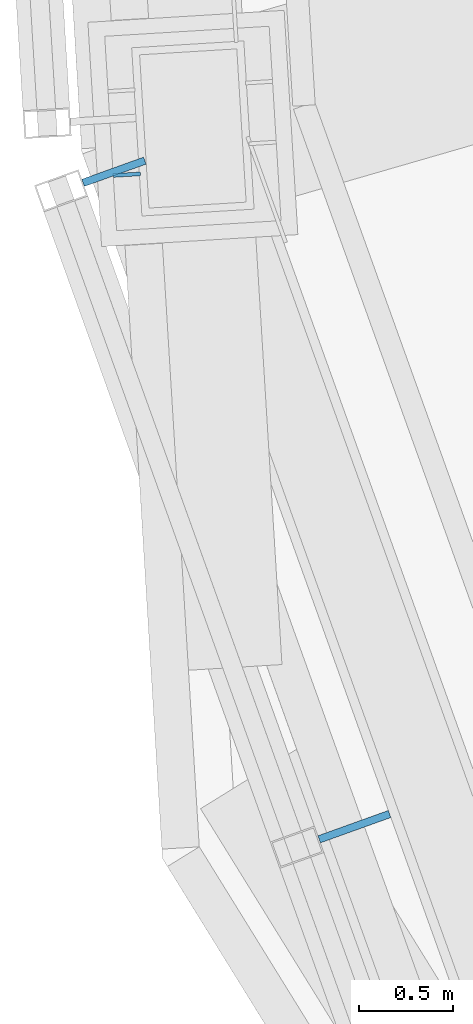
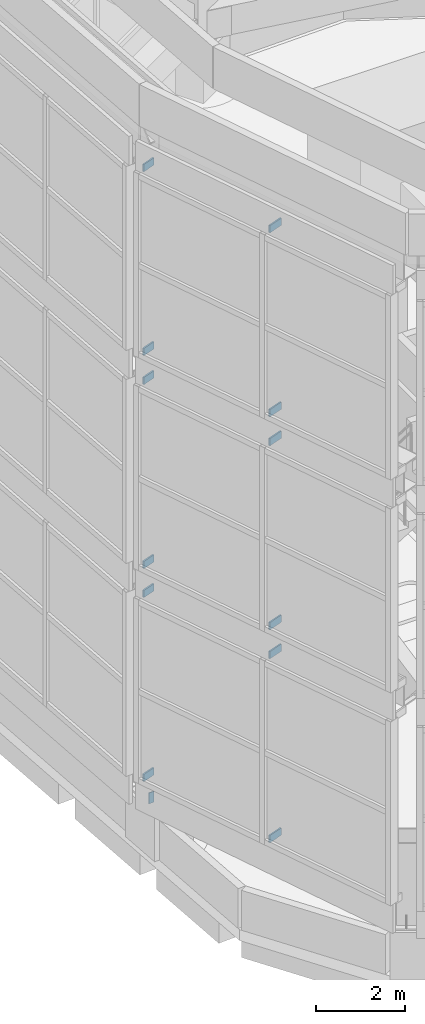
# One storey, part 30 of 46: 13 discrete accessories.
"""IFC4 building model written with IfcOpenShell, lengths in metres."""

import ifcopenshell
import ifcopenshell.guid

model = None  # the IFC model being written
_history = None  # IfcOwnerHistory: only IFC2X3 demands one
_inside = {}  # id of a spatial element -> (the spatial element, [elements in it])
_under = {}  # id of a project, library or spatial element -> (it, [spatial elements below it])
_declared = {}  # id of a project -> (the project, [libraries it declares])
_typed = {}  # id of a type object -> (the type object, [elements of that type])
_made_of = {}  # id of a material, layer set ... -> (it, [elements and type objects made of it])


def new_model(schema):
    """Start an empty IFC model of exactly this schema.

    Asked for "IFC4X3", IfcOpenShell would pick the latest addendum, in which some entities
    have other attributes; the version numbers below select the first issue.
    IFC2X3 requires an IfcOwnerHistory on every rooted entity: one is made here for all.
    """
    global model, _history
    if schema == "IFC4X3":
        model = ifcopenshell.file(schema_version=(4, 3, 0, 0))
    else:
        model = ifcopenshell.file(schema=schema)
    _inside.clear()
    _under.clear()
    _declared.clear()
    _typed.clear()
    _made_of.clear()
    _history = None
    if model.schema == "IFC2X3":
        org = make("IfcOrganization", Name="unknown")
        user = make(
            "IfcPersonAndOrganization",
            ThePerson=make("IfcPerson", FamilyName="unknown"),
            TheOrganization=org,
        )
        app = make(
            "IfcApplication",
            ApplicationDeveloper=org,
            Version="unknown",
            ApplicationFullName="unknown",
            ApplicationIdentifier="unknown",
        )
        _history = make(
            "IfcOwnerHistory",
            OwningUser=user,
            OwningApplication=app,
            ChangeAction="ADDED",
            CreationDate=0,
        )
    return model


def make(cls, **values):
    """One entity of the class cls with the attributes given. An attribute that is None is left unset."""
    return model.create_entity(
        cls, **{name: value for name, value in values.items() if value is not None}
    )


def rooted(cls, **values):
    """An entity with a GlobalId (a new one), such as an element, a storey or a relation."""
    return make(cls, GlobalId=ifcopenshell.guid.new(), OwnerHistory=_history, **values)


def si_unit(unit_type, name, prefix=None):
    """IfcSIUnit, for example si_unit("LENGTHUNIT", "METRE", prefix="MILLI")."""
    return make("IfcSIUnit", UnitType=unit_type, Prefix=prefix, Name=name)


def assignment(units):
    """IfcUnitAssignment: the units of a project."""
    return None if units is None else make("IfcUnitAssignment", Units=units)


def point(xyz):
    """IfcCartesianPoint."""
    return None if xyz is None else make("IfcCartesianPoint", Coordinates=xyz)


def direction(xyz):
    """IfcDirection."""
    return None if xyz is None else make("IfcDirection", DirectionRatios=xyz)


def frame(location, z_axis=None, x_axis=None):
    """IfcAxis2Placement3D, a coordinate frame: its origin and axes. An axis left out is left unset."""
    return make(
        "IfcAxis2Placement3D",
        Location=point(location),
        Axis=direction(z_axis),
        RefDirection=direction(x_axis),
    )


def frame_2d(location, x_axis=None):
    """IfcAxis2Placement2D, a coordinate frame in the plane: its origin and x axis."""
    return make(
        "IfcAxis2Placement2D", Location=point(location), RefDirection=direction(x_axis)
    )


def origin():
    """The frame at (0, 0, 0) with its axes left unset."""
    return frame((0.0, 0.0, 0.0))


def origin_2d():
    """The frame at (0, 0) in the plane with its x axis left unset."""
    return frame_2d((0.0, 0.0))


def place(relative_to, where):
    """IfcLocalPlacement: puts the frame where relative to a parent placement (None: the world)."""
    return make(
        "IfcLocalPlacement", PlacementRelTo=relative_to, RelativePlacement=where
    )


def context(
    kind, dimensions, precision=None, world=None, true_north=None, identifier=None
):
    """IfcGeometricRepresentationContext, for example the 3D "Model" context."""
    return make(
        "IfcGeometricRepresentationContext",
        ContextIdentifier=identifier,
        ContextType=kind,
        CoordinateSpaceDimension=dimensions,
        Precision=precision,
        WorldCoordinateSystem=world,
        TrueNorth=true_north,
    )


def subcontext(parent, identifier, kind, view, scale=None):
    """IfcGeometricRepresentationSubContext, for example "Body" below "Model"."""
    return make(
        "IfcGeometricRepresentationSubContext",
        ContextIdentifier=identifier,
        ContextType=kind,
        ParentContext=parent,
        TargetScale=scale,
        TargetView=view,
    )


def project(units=None, contexts=None):
    """IfcProject with its units and contexts."""
    return rooted(
        "IfcProject",
        Name="project",
        RepresentationContexts=contexts,
        UnitsInContext=assignment(units),
    )


def spatial(cls, under=None, at=None, **own):
    """A site, building, storey or space (cls), placed at a placement, below another one or the project."""
    s = rooted(cls, ObjectPlacement=at, **own)
    if under is not None:
        _under.setdefault(under.id(), (under, []))[1].append(s)
    return s


def profile(cls, at=None, kind="AREA", **sizes):
    """A parametric profile (cls). Its sizes go by their IFC names, for example OverallWidth=200.0."""
    return make(cls, ProfileType=kind, Position=at, **sizes)


def rectangle(**sizes):
    """IfcRectangleProfileDef."""
    return profile("IfcRectangleProfileDef", **sizes)


def extrude(swept, where, along, depth):
    """IfcExtrudedAreaSolid: the profile swept, set in the frame where, extruded along a direction by depth."""
    return make(
        "IfcExtrudedAreaSolid",
        SweptArea=swept,
        Position=where,
        ExtrudedDirection=direction(along),
        Depth=depth,
    )


def shape(context_of_items, identifier, shape_type, items):
    """IfcShapeRepresentation: the items that make up one representation, for example the "Body"."""
    return make(
        "IfcShapeRepresentation",
        ContextOfItems=context_of_items,
        RepresentationIdentifier=identifier,
        RepresentationType=shape_type,
        Items=items,
    )


def material(Name=None, Category=None):
    """IfcMaterial."""
    return make("IfcMaterial", Name=Name, Category=Category)


def layer(
    of_material, thickness, ventilated=None, Name=None, Category=None, Priority=None
):
    """IfcMaterialLayer: one layer of a wall or slab, of a material (None: an air gap)."""
    return make(
        "IfcMaterialLayer",
        Material=of_material,
        LayerThickness=thickness,
        IsVentilated=ventilated,
        Name=Name,
        Category=Category,
        Priority=Priority,
    )


def layer_set(layers, Name=None):
    """IfcMaterialLayerSet."""
    return make("IfcMaterialLayerSet", MaterialLayers=layers, LayerSetName=Name)


def made_of(thing, what):
    """Note that an element or type object is made of a material, layer set ...; save() writes the relation."""
    if what is not None:
        _made_of.setdefault(what.id(), (what, []))[1].append(thing)
    return thing


def type_object(cls, material=None, **own):
    """A type object (cls), such as IfcWallType, which elements share."""
    return made_of(rooted(cls, **own), material)


def element(
    cls,
    number,
    at=None,
    inside=None,
    cuts=None,
    type_object=None,
    material=None,
    context=None,
    identifier="Body",
    shape_type=None,
    held_by="IfcProductDefinitionShape",
    body=None,
    shapes=None,
    **own,
):
    """One element of the class cls, such as IfcWall. Its Tag is "e" and its number.

    at: its placement. inside: the storey or other place that contains it. cuts: it is an
    opening in that element (IfcRelVoidsElement). A single representation is given by context,
    identifier, shape_type and body (its items); several are given by shapes. held_by: the class
    of the entity that holds the representations. save() writes the other relations.
    """
    e = rooted(cls, Tag="e%d" % number, ObjectPlacement=at, **own)
    if body is not None:
        shapes = [shape(context, identifier, shape_type, body)]
    if shapes is not None:
        e.Representation = make(held_by, Representations=shapes)
    if inside is not None:
        _inside.setdefault(inside.id(), (inside, []))[1].append(e)
    if cuts is not None:
        rooted(
            "IfcRelVoidsElement", RelatingBuildingElement=cuts, RelatedOpeningElement=e
        )
    if type_object is not None:
        _typed.setdefault(type_object.id(), (type_object, []))[1].append(e)
    return made_of(e, material)


def aggregate(whole, parts):
    """IfcRelAggregates: a whole, such as a stair, and the parts it consists of."""
    return rooted("IfcRelAggregates", RelatingObject=whole, RelatedObjects=parts)


def save(model, path):
    """Write the relations noted so far, then the file.

    IfcRelAggregates (storeys below a building ...), IfcRelContainedInSpatialStructure (elements
    in a storey), IfcRelDefinesByType, IfcRelAssociatesMaterial and IfcRelDeclares: one each for
    every whole, place, type object, material and project.
    """
    for whole, parts in _under.values():
        aggregate(whole, parts)
    for where, things in _inside.values():
        rooted(
            "IfcRelContainedInSpatialStructure",
            RelatedElements=things,
            RelatingStructure=where,
        )
    for kind, things in _typed.values():
        rooted("IfcRelDefinesByType", RelatedObjects=things, RelatingType=kind)
    for what, things in _made_of.values():
        rooted("IfcRelAssociatesMaterial", RelatedObjects=things, RelatingMaterial=what)
    for by, libraries in _declared.values():
        rooted("IfcRelDeclares", RelatingContext=by, RelatedDefinitions=libraries)
    model.write(path)


model = new_model("IFC4")

# Units and contexts
model_context = context("Model", 3, precision=1e-05, world=origin(), true_north=direction((0.0, 1.0)))
body_context = subcontext(model_context, "Body", "Model", "MODEL_VIEW")
ifc_project = project(units=[si_unit("LENGTHUNIT", "METRE"), si_unit("AREAUNIT", "SQUARE_METRE"), si_unit("VOLUMEUNIT", "CUBIC_METRE"), si_unit("PLANEANGLEUNIT", "RADIAN"), si_unit("MASSUNIT", "GRAM", prefix="KILO")], contexts=[model_context])

# Site, building, storey
site_placement = place(None, origin())
site = spatial("IfcSite", under=ifc_project, at=site_placement, CompositionType="ELEMENT")
building_placement = place(site_placement, origin())
building = spatial("IfcBuilding", under=site, at=building_placement, Name="Vanh Sen Convention Tower", CompositionType="ELEMENT")
storey_placement = place(building_placement, frame((0.0, 0.0, 305.0)))
storey = spatial("IfcBuildingStorey", under=building, at=storey_placement, Name="Roof level", CompositionType="ELEMENT", Elevation=305.0)

# Discrete accessories
ifc_material_1 = material(Name="Steel S355", Category="steel")
ifc_layer = layer(ifc_material_1, 0.02001953125)
ifc_layer_set = layer_set([ifc_layer], Name="Steel S355")
discrete_accessory_type_1 = type_object("IfcDiscreteAccessoryType", Name="Crown base plate stiffener 140 x 300 x 20", PredefinedType="USERDEFINED", material=ifc_layer_set)
discrete_accessory_1_placement = place(storey_placement, frame((-18.860595703125, -5.601806640625, 1.34521484375), z_axis=(0.0, 0.0, 1.0), x_axis=(0.998134798422, 0.061048539535, 0.0)))
element("IfcDiscreteAccessory", 1, at=discrete_accessory_1_placement, inside=storey, type_object=discrete_accessory_type_1, Name="STIFFENER crown column 12 rib 3", ObjectType="STIFFENER", PredefinedType="USERDEFINED", context=body_context, shape_type="SweptSolid", body=[
    extrude(rectangle(XDim=0.14501953125, YDim=0.02001953125, at=origin_2d()), origin(), (0.0, 0.0, 1.0), 0.300048828125),
])
ifc_material_2 = material(Name="Steel S355", Category="steel")
discrete_accessory_type_2 = type_object("IfcDiscreteAccessoryType", Name="Crown screen bracket 40 x 200", PredefinedType="BRACKET", material=ifc_material_2)
discrete_accessory_2_placement = place(storey_placement, frame((-18.92919921875, -5.586181640625, 2.044921875), z_axis=(0.0, 0.0, 1.0), x_axis=(-0.941020805038, -0.338348702503, 0.0)))
element("IfcDiscreteAccessory", 2, at=discrete_accessory_2_placement, inside=storey, type_object=discrete_accessory_type_2, Name="Crown screen bracket 12-1-1", PredefinedType="BRACKET", context=body_context, shape_type="SweptSolid", body=[
    extrude(rectangle(XDim=0.35009765625, YDim=0.0400390625, at=origin_2d()), origin(), (0.0, 0.0, 1.0), 0.199951171875),
])
discrete_accessory_3_placement = place(storey_placement, frame((-17.64501953125, -9.083740234375, 2.044921875), z_axis=(0.0, 0.0, 1.0), x_axis=(-0.941020805038, -0.338348702503, 0.0)))
element("IfcDiscreteAccessory", 3, at=discrete_accessory_3_placement, inside=storey, type_object=discrete_accessory_type_2, Name="Crown screen bracket 12-1-2", PredefinedType="BRACKET", context=body_context, shape_type="SweptSolid", body=[
    extrude(rectangle(XDim=0.39990234375, YDim=0.0400390625, at=origin_2d()), origin(), (0.0, 0.0, 1.0), 0.199951171875),
])
discrete_accessory_4_placement = place(storey_placement, frame((-18.92919921875, -5.586181640625, 7.11328125), z_axis=(0.0, 0.0, 1.0), x_axis=(-0.941020805038, -0.338348702503, 0.0)))
element("IfcDiscreteAccessory", 4, at=discrete_accessory_4_placement, inside=storey, type_object=discrete_accessory_type_2, Name="Crown screen bracket 12-1-4", PredefinedType="BRACKET", context=body_context, shape_type="SweptSolid", body=[
    extrude(rectangle(XDim=0.35009765625, YDim=0.0400390625, at=origin_2d()), origin(), (0.0, 0.0, 1.0), 0.199951171875),
])
discrete_accessory_5_placement = place(storey_placement, frame((-17.64501953125, -9.083740234375, 7.11328125), z_axis=(0.0, 0.0, 1.0), x_axis=(-0.941020805038, -0.338348702503, 0.0)))
element("IfcDiscreteAccessory", 5, at=discrete_accessory_5_placement, inside=storey, type_object=discrete_accessory_type_2, Name="Crown screen bracket 12-1-5", PredefinedType="BRACKET", context=body_context, shape_type="SweptSolid", body=[
    extrude(rectangle(XDim=0.39990234375, YDim=0.0400390625, at=origin_2d()), origin(), (0.0, 0.0, 1.0), 0.199951171875),
])
discrete_accessory_6_placement = place(storey_placement, frame((-18.92919921875, -5.586181640625, 7.9130859375), z_axis=(0.0, 0.0, 1.0), x_axis=(-0.941020805038, -0.338348702503, 0.0)))
element("IfcDiscreteAccessory", 6, at=discrete_accessory_6_placement, inside=storey, type_object=discrete_accessory_type_2, Name="Crown screen bracket 12-2-1", PredefinedType="BRACKET", context=body_context, shape_type="SweptSolid", body=[
    extrude(rectangle(XDim=0.35009765625, YDim=0.0400390625, at=origin_2d()), origin(), (0.0, 0.0, 1.0), 0.199951171875),
])
discrete_accessory_7_placement = place(storey_placement, frame((-17.64501953125, -9.083740234375, 7.9130859375), z_axis=(0.0, 0.0, 1.0), x_axis=(-0.941020805038, -0.338348702503, 0.0)))
element("IfcDiscreteAccessory", 7, at=discrete_accessory_7_placement, inside=storey, type_object=discrete_accessory_type_2, Name="Crown screen bracket 12-2-2", PredefinedType="BRACKET", context=body_context, shape_type="SweptSolid", body=[
    extrude(rectangle(XDim=0.39990234375, YDim=0.0400390625, at=origin_2d()), origin(), (0.0, 0.0, 1.0), 0.199951171875),
])
discrete_accessory_8_placement = place(storey_placement, frame((-18.92919921875, -5.586181640625, 12.98193359375), z_axis=(0.0, 0.0, 1.0), x_axis=(-0.941020805038, -0.338348702503, 0.0)))
element("IfcDiscreteAccessory", 8, at=discrete_accessory_8_placement, inside=storey, type_object=discrete_accessory_type_2, Name="Crown screen bracket 12-2-4", PredefinedType="BRACKET", context=body_context, shape_type="SweptSolid", body=[
    extrude(rectangle(XDim=0.35009765625, YDim=0.0400390625, at=origin_2d()), origin(), (0.0, 0.0, 1.0), 0.199951171875),
])
discrete_accessory_9_placement = place(storey_placement, frame((-17.64501953125, -9.083740234375, 12.98193359375), z_axis=(0.0, 0.0, 1.0), x_axis=(-0.941020805038, -0.338348702503, 0.0)))
element("IfcDiscreteAccessory", 9, at=discrete_accessory_9_placement, inside=storey, type_object=discrete_accessory_type_2, Name="Crown screen bracket 12-2-5", PredefinedType="BRACKET", context=body_context, shape_type="SweptSolid", body=[
    extrude(rectangle(XDim=0.39990234375, YDim=0.0400390625, at=origin_2d()), origin(), (0.0, 0.0, 1.0), 0.199951171875),
])
discrete_accessory_10_placement = place(storey_placement, frame((-18.92919921875, -5.586181640625, 13.78173828125), z_axis=(0.0, 0.0, 1.0), x_axis=(-0.941020805038, -0.338348702503, 0.0)))
element("IfcDiscreteAccessory", 10, at=discrete_accessory_10_placement, inside=storey, type_object=discrete_accessory_type_2, Name="Crown screen bracket 12-3-1", PredefinedType="BRACKET", context=body_context, shape_type="SweptSolid", body=[
    extrude(rectangle(XDim=0.35009765625, YDim=0.0400390625, at=origin_2d()), origin(), (0.0, 0.0, 1.0), 0.199951171875),
])
discrete_accessory_11_placement = place(storey_placement, frame((-17.64501953125, -9.083740234375, 13.78173828125), z_axis=(0.0, 0.0, 1.0), x_axis=(-0.941020805038, -0.338348702503, 0.0)))
element("IfcDiscreteAccessory", 11, at=discrete_accessory_11_placement, inside=storey, type_object=discrete_accessory_type_2, Name="Crown screen bracket 12-3-2", PredefinedType="BRACKET", context=body_context, shape_type="SweptSolid", body=[
    extrude(rectangle(XDim=0.39990234375, YDim=0.0400390625, at=origin_2d()), origin(), (0.0, 0.0, 1.0), 0.199951171875),
])
discrete_accessory_12_placement = place(storey_placement, frame((-18.92919921875, -5.586181640625, 18.85009765625), z_axis=(0.0, 0.0, 1.0), x_axis=(-0.941020805038, -0.338348702503, 0.0)))
element("IfcDiscreteAccessory", 12, at=discrete_accessory_12_placement, inside=storey, type_object=discrete_accessory_type_2, Name="Crown screen bracket 12-3-4", PredefinedType="BRACKET", context=body_context, shape_type="SweptSolid", body=[
    extrude(rectangle(XDim=0.35009765625, YDim=0.0400390625, at=origin_2d()), origin(), (0.0, 0.0, 1.0), 0.199951171875),
])
discrete_accessory_13_placement = place(storey_placement, frame((-17.64501953125, -9.083740234375, 18.85009765625), z_axis=(0.0, 0.0, 1.0), x_axis=(-0.941020805038, -0.338348702503, 0.0)))
element("IfcDiscreteAccessory", 13, at=discrete_accessory_13_placement, inside=storey, type_object=discrete_accessory_type_2, Name="Crown screen bracket 12-3-5", PredefinedType="BRACKET", context=body_context, shape_type="SweptSolid", body=[
    extrude(rectangle(XDim=0.39990234375, YDim=0.0400390625, at=origin_2d()), origin(), (0.0, 0.0, 1.0), 0.199951171875),
])

save(model, "model.ifc")
